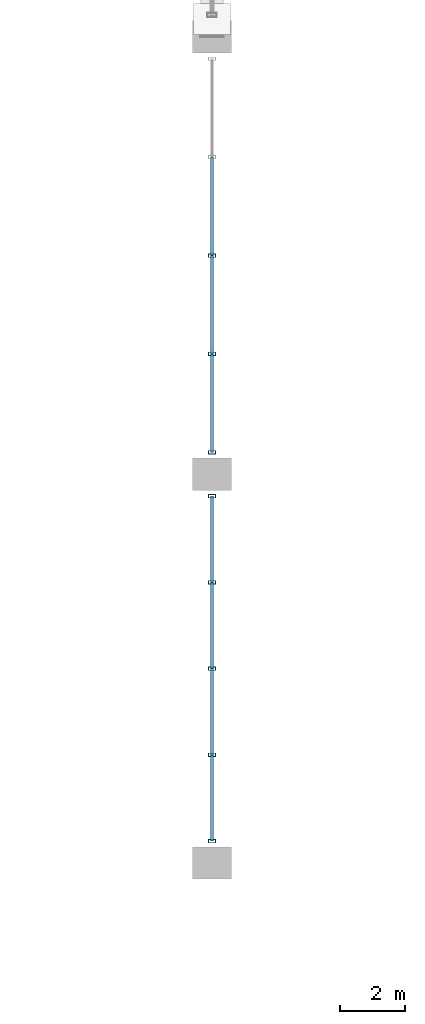
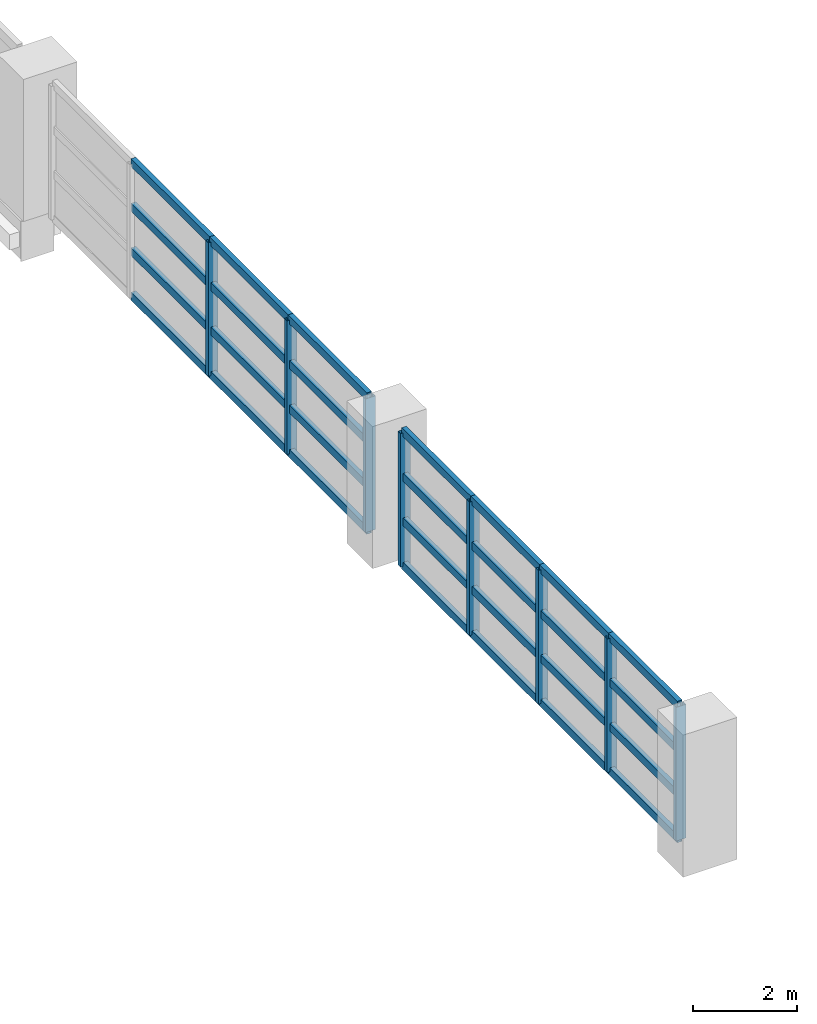
# One storey, part 36 of 116: 36 members, 2 elements without a shape of their own.
"""IFC4 building model written with IfcOpenShell, lengths in metres."""

from ifc_helpers import new_model, si_unit, direction, frame, origin, origin_2d, place, context, subcontext, project, spatial, hollow_rectangle, extrude, material, material_profile, profile_set, type_object, element, aggregate, save


model = new_model("IFC4")

# Units and contexts
model_context = context("Model", 3, precision=1e-05, world=origin(), true_north=direction((0.0, 1.0)))
body_context = subcontext(model_context, "Body", "Model", "MODEL_VIEW")
ifc_project = project(units=[si_unit("LENGTHUNIT", "METRE"), si_unit("AREAUNIT", "SQUARE_METRE"), si_unit("VOLUMEUNIT", "CUBIC_METRE"), si_unit("PLANEANGLEUNIT", "RADIAN"), si_unit("MASSUNIT", "GRAM", prefix="KILO")], contexts=[model_context])

# Site, building, storey
site_placement = place(None, origin())
site = spatial("IfcSite", under=ifc_project, at=site_placement, CompositionType="ELEMENT")
building_placement = place(site_placement, origin())
building = spatial("IfcBuilding", under=site, at=building_placement, Name="Chuanluo Vaults Station", CompositionType="ELEMENT")
storey_placement = place(building_placement, frame((0.0, 0.0, 10.800048828125)))
storey = spatial("IfcBuildingStorey", under=building, at=storey_placement, Name="L02", CompositionType="ELEMENT", Elevation=10.800048828125)

# Curtain wall, members
ifc_material_1 = material(Name="Anodised aluminium 6063-T6", Category="aluminium")
curtain_wall_type_1 = type_object("IfcCurtainWallType", Name="CW-SYS-08", PredefinedType="NOTDEFINED", material=ifc_material_1)
curtain_wall_1_placement = place(storey_placement, origin())
curtain_wall_1 = element("IfcCurtainWall", 1, at=curtain_wall_1_placement, inside=storey, type_object=curtain_wall_type_1, Name="Train shed east clerestory CW 42", PredefinedType="NOTDEFINED")
ifc_material_2 = material(Name="Anodised aluminium 6063-T6", Category="aluminium")
ifc_material_profile_1 = material_profile(ifc_material_2, hollow_rectangle(XDim=0.10498046875, YDim=0.219970703125, WallThickness=0.006103515625, at=origin_2d()))
ifc_profile_set_1 = profile_set([ifc_material_profile_1], Name="Anodised aluminium 6063-T6")
member_type_1 = type_object("IfcMemberType", Name="CWM-140", PredefinedType="MULLION", material=ifc_profile_set_1)
member_1_placement = place(storey_placement, frame((126.0, 53.324951171875, 0.0), z_axis=(0.0, 0.0, 1.0), x_axis=(0.0, -1.0, 0.0)))
member_1 = element("IfcMember", 2, at=member_1_placement, type_object=member_type_1, Name="Train shed east clerestory CW 42 mullion 1", PredefinedType="MULLION", context=body_context, shape_type="SweptSolid", body=[
    extrude(hollow_rectangle(XDim=0.10498046875, YDim=0.219970703125, WallThickness=0.006103515625, at=origin_2d()), origin(), (0.0, 0.0, 1.0), 3.14990234375),
])
member_2_placement = place(storey_placement, frame((126.0, 50.66259765625, 0.0), z_axis=(0.0, 0.0, 1.0), x_axis=(0.0, -1.0, 0.0)))
member_2 = element("IfcMember", 3, at=member_2_placement, type_object=member_type_1, Name="Train shed east clerestory CW 42 mullion 2", PredefinedType="MULLION", context=body_context, shape_type="SweptSolid", body=[
    extrude(hollow_rectangle(XDim=0.10498046875, YDim=0.219970703125, WallThickness=0.006103515625, at=origin_2d()), origin(), (0.0, 0.0, 1.0), 3.14990234375),
])
member_3_placement = place(storey_placement, frame((126.0, 48.0, 0.0), z_axis=(0.0, 0.0, 1.0), x_axis=(0.0, -1.0, 0.0)))
member_3 = element("IfcMember", 4, at=member_3_placement, type_object=member_type_1, Name="Train shed east clerestory CW 42 mullion 3", PredefinedType="MULLION", context=body_context, shape_type="SweptSolid", body=[
    extrude(hollow_rectangle(XDim=0.10498046875, YDim=0.219970703125, WallThickness=0.006103515625, at=origin_2d()), origin(), (0.0, 0.0, 1.0), 3.14990234375),
])
member_4_placement = place(storey_placement, frame((126.0, 45.33740234375, 0.0), z_axis=(0.0, 0.0, 1.0), x_axis=(0.0, -1.0, 0.0)))
member_4 = element("IfcMember", 5, at=member_4_placement, type_object=member_type_1, Name="Train shed east clerestory CW 42 mullion 4", PredefinedType="MULLION", context=body_context, shape_type="SweptSolid", body=[
    extrude(hollow_rectangle(XDim=0.10498046875, YDim=0.219970703125, WallThickness=0.006103515625, at=origin_2d()), origin(), (0.0, 0.0, 1.0), 3.14990234375),
])
member_5_placement = place(storey_placement, frame((126.0, 42.675048828125, 0.0), z_axis=(0.0, 0.0, 1.0), x_axis=(0.0, -1.0, 0.0)))
member_5 = element("IfcMember", 6, at=member_5_placement, type_object=member_type_1, Name="Train shed east clerestory CW 42 mullion 5", PredefinedType="MULLION", context=body_context, shape_type="SweptSolid", body=[
    extrude(hollow_rectangle(XDim=0.10498046875, YDim=0.219970703125, WallThickness=0.006103515625, at=origin_2d()), origin(), (0.0, 0.0, 1.0), 3.14990234375),
])

ifc_material_3 = material(Name="Anodised aluminium 6063-T6", Category="aluminium")
curtain_wall_type_2 = type_object("IfcCurtainWallType", Name="CW-SYS-12", PredefinedType="NOTDEFINED", material=ifc_material_3)
curtain_wall_2_placement = place(storey_placement, origin())
curtain_wall_2 = element("IfcCurtainWall", 7, at=curtain_wall_2_placement, inside=storey, type_object=curtain_wall_type_2, Name="Train shed east clerestory CW 54", PredefinedType="NOTDEFINED")
member_6_placement = place(storey_placement, frame((126.0, 60.75, 0.0), z_axis=(0.0, 0.0, 1.0), x_axis=(0.0, -1.0, 0.0)))
member_6 = element("IfcMember", 8, at=member_6_placement, type_object=member_type_1, Name="Train shed east clerestory CW 54 mullion 3", PredefinedType="MULLION", context=body_context, shape_type="SweptSolid", body=[
    extrude(hollow_rectangle(XDim=0.10498046875, YDim=0.219970703125, WallThickness=0.006103515625, at=origin_2d()), origin(), (0.0, 0.0, 1.0), 3.14990234375),
])
member_7_placement = place(storey_placement, frame((126.0, 57.71240234375, 0.0), z_axis=(0.0, 0.0, 1.0), x_axis=(0.0, -1.0, 0.0)))
member_7 = element("IfcMember", 9, at=member_7_placement, type_object=member_type_1, Name="Train shed east clerestory CW 54 mullion 4", PredefinedType="MULLION", context=body_context, shape_type="SweptSolid", body=[
    extrude(hollow_rectangle(XDim=0.10498046875, YDim=0.219970703125, WallThickness=0.006103515625, at=origin_2d()), origin(), (0.0, 0.0, 1.0), 3.14990234375),
])
member_8_placement = place(storey_placement, frame((126.0, 54.675048828125, 0.0), z_axis=(0.0, 0.0, 1.0), x_axis=(0.0, -1.0, 0.0)))
member_8 = element("IfcMember", 10, at=member_8_placement, type_object=member_type_1, Name="Train shed east clerestory CW 54 mullion 5", PredefinedType="MULLION", context=body_context, shape_type="SweptSolid", body=[
    extrude(hollow_rectangle(XDim=0.10498046875, YDim=0.219970703125, WallThickness=0.006103515625, at=origin_2d()), origin(), (0.0, 0.0, 1.0), 3.14990234375),
])

# Member
ifc_material_4 = material(Name="Anodised aluminium 6063-T6", Category="aluminium")
ifc_material_profile_2 = material_profile(ifc_material_4, hollow_rectangle(XDim=0.10498046875, YDim=0.18505859375, WallThickness=0.0048828125, at=origin_2d()))
ifc_profile_set_2 = profile_set([ifc_material_profile_2], Name="Anodised aluminium 6063-T6")
member_type_2 = type_object("IfcMemberType", Name="CWT-110", PredefinedType="USERDEFINED", material=ifc_profile_set_2)
member_9_placement = place(storey_placement, frame((126.0, 53.324951171875, 0.0), z_axis=(0.0, -1.0, 0.0), x_axis=(1.0, 0.0, 0.0)))
member_9 = element("IfcMember", 11, at=member_9_placement, type_object=member_type_2, Name="Train shed east clerestory CW 42 transom 1.1", ObjectType="TRANSOM", PredefinedType="USERDEFINED", context=body_context, shape_type="SweptSolid", body=[
    extrude(hollow_rectangle(XDim=0.10498046875, YDim=0.18505859375, WallThickness=0.0048828125, at=origin_2d()), origin(), (0.0, 0.0, 1.0), 2.662353515625),
])

member_10_placement = place(storey_placement, frame((126.0, 53.324951171875, 1.050048828125), z_axis=(0.0, -1.0, 0.0), x_axis=(1.0, 0.0, 0.0)))
member_10 = element("IfcMember", 12, at=member_10_placement, type_object=member_type_2, Name="Train shed east clerestory CW 42 transom 1.2", ObjectType="TRANSOM", PredefinedType="USERDEFINED", context=body_context, shape_type="SweptSolid", body=[
    extrude(hollow_rectangle(XDim=0.10498046875, YDim=0.18505859375, WallThickness=0.0048828125, at=origin_2d()), origin(), (0.0, 0.0, 1.0), 2.662353515625),
])

member_11_placement = place(storey_placement, frame((126.0, 53.324951171875, 2.099853515625), z_axis=(0.0, -1.0, 0.0), x_axis=(1.0, 0.0, 0.0)))
member_11 = element("IfcMember", 13, at=member_11_placement, type_object=member_type_2, Name="Train shed east clerestory CW 42 transom 1.3", ObjectType="TRANSOM", PredefinedType="USERDEFINED", context=body_context, shape_type="SweptSolid", body=[
    extrude(hollow_rectangle(XDim=0.10498046875, YDim=0.18505859375, WallThickness=0.0048828125, at=origin_2d()), origin(), (0.0, 0.0, 1.0), 2.662353515625),
])

member_12_placement = place(storey_placement, frame((126.0, 53.324951171875, 3.14990234375), z_axis=(0.0, -1.0, 0.0), x_axis=(1.0, 0.0, 0.0)))
member_12 = element("IfcMember", 14, at=member_12_placement, type_object=member_type_2, Name="Train shed east clerestory CW 42 transom 1.4", ObjectType="TRANSOM", PredefinedType="USERDEFINED", context=body_context, shape_type="SweptSolid", body=[
    extrude(hollow_rectangle(XDim=0.10498046875, YDim=0.18505859375, WallThickness=0.0048828125, at=origin_2d()), origin(), (0.0, 0.0, 1.0), 2.662353515625),
])

member_13_placement = place(storey_placement, frame((126.0, 50.66259765625, 0.0), z_axis=(0.0, -1.0, 0.0), x_axis=(1.0, 0.0, 0.0)))
member_13 = element("IfcMember", 15, at=member_13_placement, type_object=member_type_2, Name="Train shed east clerestory CW 42 transom 2.1", ObjectType="TRANSOM", PredefinedType="USERDEFINED", context=body_context, shape_type="SweptSolid", body=[
    extrude(hollow_rectangle(XDim=0.10498046875, YDim=0.18505859375, WallThickness=0.0048828125, at=origin_2d()), origin(), (0.0, 0.0, 1.0), 2.66259765625),
])

member_14_placement = place(storey_placement, frame((126.0, 50.66259765625, 1.050048828125), z_axis=(0.0, -1.0, 0.0), x_axis=(1.0, 0.0, 0.0)))
member_14 = element("IfcMember", 16, at=member_14_placement, type_object=member_type_2, Name="Train shed east clerestory CW 42 transom 2.2", ObjectType="TRANSOM", PredefinedType="USERDEFINED", context=body_context, shape_type="SweptSolid", body=[
    extrude(hollow_rectangle(XDim=0.10498046875, YDim=0.18505859375, WallThickness=0.0048828125, at=origin_2d()), origin(), (0.0, 0.0, 1.0), 2.66259765625),
])

member_15_placement = place(storey_placement, frame((126.0, 50.66259765625, 2.099853515625), z_axis=(0.0, -1.0, 0.0), x_axis=(1.0, 0.0, 0.0)))
member_15 = element("IfcMember", 17, at=member_15_placement, type_object=member_type_2, Name="Train shed east clerestory CW 42 transom 2.3", ObjectType="TRANSOM", PredefinedType="USERDEFINED", context=body_context, shape_type="SweptSolid", body=[
    extrude(hollow_rectangle(XDim=0.10498046875, YDim=0.18505859375, WallThickness=0.0048828125, at=origin_2d()), origin(), (0.0, 0.0, 1.0), 2.66259765625),
])

member_16_placement = place(storey_placement, frame((126.0, 50.66259765625, 3.14990234375), z_axis=(0.0, -1.0, 0.0), x_axis=(1.0, 0.0, 0.0)))
member_16 = element("IfcMember", 18, at=member_16_placement, type_object=member_type_2, Name="Train shed east clerestory CW 42 transom 2.4", ObjectType="TRANSOM", PredefinedType="USERDEFINED", context=body_context, shape_type="SweptSolid", body=[
    extrude(hollow_rectangle(XDim=0.10498046875, YDim=0.18505859375, WallThickness=0.0048828125, at=origin_2d()), origin(), (0.0, 0.0, 1.0), 2.66259765625),
])

member_17_placement = place(storey_placement, frame((126.0, 48.0, 0.0), z_axis=(0.0, -1.0, 0.0), x_axis=(1.0, 0.0, 0.0)))
member_17 = element("IfcMember", 19, at=member_17_placement, type_object=member_type_2, Name="Train shed east clerestory CW 42 transom 3.1", ObjectType="TRANSOM", PredefinedType="USERDEFINED", context=body_context, shape_type="SweptSolid", body=[
    extrude(hollow_rectangle(XDim=0.10498046875, YDim=0.18505859375, WallThickness=0.0048828125, at=origin_2d()), origin(), (0.0, 0.0, 1.0), 2.66259765625),
])

member_18_placement = place(storey_placement, frame((126.0, 48.0, 1.050048828125), z_axis=(0.0, -1.0, 0.0), x_axis=(1.0, 0.0, 0.0)))
member_18 = element("IfcMember", 20, at=member_18_placement, type_object=member_type_2, Name="Train shed east clerestory CW 42 transom 3.2", ObjectType="TRANSOM", PredefinedType="USERDEFINED", context=body_context, shape_type="SweptSolid", body=[
    extrude(hollow_rectangle(XDim=0.10498046875, YDim=0.18505859375, WallThickness=0.0048828125, at=origin_2d()), origin(), (0.0, 0.0, 1.0), 2.66259765625),
])

member_19_placement = place(storey_placement, frame((126.0, 48.0, 2.099853515625), z_axis=(0.0, -1.0, 0.0), x_axis=(1.0, 0.0, 0.0)))
member_19 = element("IfcMember", 21, at=member_19_placement, type_object=member_type_2, Name="Train shed east clerestory CW 42 transom 3.3", ObjectType="TRANSOM", PredefinedType="USERDEFINED", context=body_context, shape_type="SweptSolid", body=[
    extrude(hollow_rectangle(XDim=0.10498046875, YDim=0.18505859375, WallThickness=0.0048828125, at=origin_2d()), origin(), (0.0, 0.0, 1.0), 2.66259765625),
])

member_20_placement = place(storey_placement, frame((126.0, 48.0, 3.14990234375), z_axis=(0.0, -1.0, 0.0), x_axis=(1.0, 0.0, 0.0)))
member_20 = element("IfcMember", 22, at=member_20_placement, type_object=member_type_2, Name="Train shed east clerestory CW 42 transom 3.4", ObjectType="TRANSOM", PredefinedType="USERDEFINED", context=body_context, shape_type="SweptSolid", body=[
    extrude(hollow_rectangle(XDim=0.10498046875, YDim=0.18505859375, WallThickness=0.0048828125, at=origin_2d()), origin(), (0.0, 0.0, 1.0), 2.66259765625),
])

member_21_placement = place(storey_placement, frame((126.0, 45.33740234375, 0.0), z_axis=(0.0, -1.0, 0.0), x_axis=(1.0, 0.0, 0.0)))
member_21 = element("IfcMember", 23, at=member_21_placement, type_object=member_type_2, Name="Train shed east clerestory CW 42 transom 4.1", ObjectType="TRANSOM", PredefinedType="USERDEFINED", context=body_context, shape_type="SweptSolid", body=[
    extrude(hollow_rectangle(XDim=0.10498046875, YDim=0.18505859375, WallThickness=0.0048828125, at=origin_2d()), origin(), (0.0, 0.0, 1.0), 2.662353515625),
])

member_22_placement = place(storey_placement, frame((126.0, 45.33740234375, 1.050048828125), z_axis=(0.0, -1.0, 0.0), x_axis=(1.0, 0.0, 0.0)))
member_22 = element("IfcMember", 24, at=member_22_placement, type_object=member_type_2, Name="Train shed east clerestory CW 42 transom 4.2", ObjectType="TRANSOM", PredefinedType="USERDEFINED", context=body_context, shape_type="SweptSolid", body=[
    extrude(hollow_rectangle(XDim=0.10498046875, YDim=0.18505859375, WallThickness=0.0048828125, at=origin_2d()), origin(), (0.0, 0.0, 1.0), 2.662353515625),
])

member_23_placement = place(storey_placement, frame((126.0, 45.33740234375, 2.099853515625), z_axis=(0.0, -1.0, 0.0), x_axis=(1.0, 0.0, 0.0)))
member_23 = element("IfcMember", 25, at=member_23_placement, type_object=member_type_2, Name="Train shed east clerestory CW 42 transom 4.3", ObjectType="TRANSOM", PredefinedType="USERDEFINED", context=body_context, shape_type="SweptSolid", body=[
    extrude(hollow_rectangle(XDim=0.10498046875, YDim=0.18505859375, WallThickness=0.0048828125, at=origin_2d()), origin(), (0.0, 0.0, 1.0), 2.662353515625),
])

member_24_placement = place(storey_placement, frame((126.0, 45.33740234375, 3.14990234375), z_axis=(0.0, -1.0, 0.0), x_axis=(1.0, 0.0, 0.0)))
member_24 = element("IfcMember", 26, at=member_24_placement, type_object=member_type_2, Name="Train shed east clerestory CW 42 transom 4.4", ObjectType="TRANSOM", PredefinedType="USERDEFINED", context=body_context, shape_type="SweptSolid", body=[
    extrude(hollow_rectangle(XDim=0.10498046875, YDim=0.18505859375, WallThickness=0.0048828125, at=origin_2d()), origin(), (0.0, 0.0, 1.0), 2.662353515625),
])

aggregate(curtain_wall_1, [member_1, member_2, member_3, member_4, member_5, member_9, member_10, member_11, member_12, member_13, member_14, member_15, member_16, member_17, member_18, member_19, member_20, member_21, member_22, member_23, member_24])

member_25_placement = place(storey_placement, frame((126.0, 63.78759765625, 0.0), z_axis=(0.0, -1.0, 0.0), x_axis=(1.0, 0.0, 0.0)))
member_25 = element("IfcMember", 27, at=member_25_placement, type_object=member_type_2, Name="Train shed east clerestory CW 54 transom 2.1", ObjectType="TRANSOM", PredefinedType="USERDEFINED", context=body_context, shape_type="SweptSolid", body=[
    extrude(hollow_rectangle(XDim=0.10498046875, YDim=0.18505859375, WallThickness=0.0048828125, at=origin_2d()), origin(), (0.0, 0.0, 1.0), 3.03759765625),
])

member_26_placement = place(storey_placement, frame((126.0, 63.78759765625, 1.050048828125), z_axis=(0.0, -1.0, 0.0), x_axis=(1.0, 0.0, 0.0)))
member_26 = element("IfcMember", 28, at=member_26_placement, type_object=member_type_2, Name="Train shed east clerestory CW 54 transom 2.2", ObjectType="TRANSOM", PredefinedType="USERDEFINED", context=body_context, shape_type="SweptSolid", body=[
    extrude(hollow_rectangle(XDim=0.10498046875, YDim=0.18505859375, WallThickness=0.0048828125, at=origin_2d()), origin(), (0.0, 0.0, 1.0), 3.03759765625),
])

member_27_placement = place(storey_placement, frame((126.0, 63.78759765625, 2.099853515625), z_axis=(0.0, -1.0, 0.0), x_axis=(1.0, 0.0, 0.0)))
member_27 = element("IfcMember", 29, at=member_27_placement, type_object=member_type_2, Name="Train shed east clerestory CW 54 transom 2.3", ObjectType="TRANSOM", PredefinedType="USERDEFINED", context=body_context, shape_type="SweptSolid", body=[
    extrude(hollow_rectangle(XDim=0.10498046875, YDim=0.18505859375, WallThickness=0.0048828125, at=origin_2d()), origin(), (0.0, 0.0, 1.0), 3.03759765625),
])

member_28_placement = place(storey_placement, frame((126.0, 63.78759765625, 3.14990234375), z_axis=(0.0, -1.0, 0.0), x_axis=(1.0, 0.0, 0.0)))
member_28 = element("IfcMember", 30, at=member_28_placement, type_object=member_type_2, Name="Train shed east clerestory CW 54 transom 2.4", ObjectType="TRANSOM", PredefinedType="USERDEFINED", context=body_context, shape_type="SweptSolid", body=[
    extrude(hollow_rectangle(XDim=0.10498046875, YDim=0.18505859375, WallThickness=0.0048828125, at=origin_2d()), origin(), (0.0, 0.0, 1.0), 3.03759765625),
])

member_29_placement = place(storey_placement, frame((126.0, 60.75, 0.0), z_axis=(0.0, -1.0, 0.0), x_axis=(1.0, 0.0, 0.0)))
member_29 = element("IfcMember", 31, at=member_29_placement, type_object=member_type_2, Name="Train shed east clerestory CW 54 transom 3.1", ObjectType="TRANSOM", PredefinedType="USERDEFINED", context=body_context, shape_type="SweptSolid", body=[
    extrude(hollow_rectangle(XDim=0.10498046875, YDim=0.18505859375, WallThickness=0.0048828125, at=origin_2d()), origin(), (0.0, 0.0, 1.0), 3.03759765625),
])

member_30_placement = place(storey_placement, frame((126.0, 60.75, 1.050048828125), z_axis=(0.0, -1.0, 0.0), x_axis=(1.0, 0.0, 0.0)))
member_30 = element("IfcMember", 32, at=member_30_placement, type_object=member_type_2, Name="Train shed east clerestory CW 54 transom 3.2", ObjectType="TRANSOM", PredefinedType="USERDEFINED", context=body_context, shape_type="SweptSolid", body=[
    extrude(hollow_rectangle(XDim=0.10498046875, YDim=0.18505859375, WallThickness=0.0048828125, at=origin_2d()), origin(), (0.0, 0.0, 1.0), 3.03759765625),
])

member_31_placement = place(storey_placement, frame((126.0, 60.75, 2.099853515625), z_axis=(0.0, -1.0, 0.0), x_axis=(1.0, 0.0, 0.0)))
member_31 = element("IfcMember", 33, at=member_31_placement, type_object=member_type_2, Name="Train shed east clerestory CW 54 transom 3.3", ObjectType="TRANSOM", PredefinedType="USERDEFINED", context=body_context, shape_type="SweptSolid", body=[
    extrude(hollow_rectangle(XDim=0.10498046875, YDim=0.18505859375, WallThickness=0.0048828125, at=origin_2d()), origin(), (0.0, 0.0, 1.0), 3.03759765625),
])

member_32_placement = place(storey_placement, frame((126.0, 60.75, 3.14990234375), z_axis=(0.0, -1.0, 0.0), x_axis=(1.0, 0.0, 0.0)))
member_32 = element("IfcMember", 34, at=member_32_placement, type_object=member_type_2, Name="Train shed east clerestory CW 54 transom 3.4", ObjectType="TRANSOM", PredefinedType="USERDEFINED", context=body_context, shape_type="SweptSolid", body=[
    extrude(hollow_rectangle(XDim=0.10498046875, YDim=0.18505859375, WallThickness=0.0048828125, at=origin_2d()), origin(), (0.0, 0.0, 1.0), 3.03759765625),
])

member_33_placement = place(storey_placement, frame((126.0, 57.71240234375, 0.0), z_axis=(0.0, -1.0, 0.0), x_axis=(1.0, 0.0, 0.0)))
member_33 = element("IfcMember", 35, at=member_33_placement, type_object=member_type_2, Name="Train shed east clerestory CW 54 transom 4.1", ObjectType="TRANSOM", PredefinedType="USERDEFINED", context=body_context, shape_type="SweptSolid", body=[
    extrude(hollow_rectangle(XDim=0.10498046875, YDim=0.18505859375, WallThickness=0.0048828125, at=origin_2d()), origin(), (0.0, 0.0, 1.0), 3.037353515625),
])

member_34_placement = place(storey_placement, frame((126.0, 57.71240234375, 1.050048828125), z_axis=(0.0, -1.0, 0.0), x_axis=(1.0, 0.0, 0.0)))
member_34 = element("IfcMember", 36, at=member_34_placement, type_object=member_type_2, Name="Train shed east clerestory CW 54 transom 4.2", ObjectType="TRANSOM", PredefinedType="USERDEFINED", context=body_context, shape_type="SweptSolid", body=[
    extrude(hollow_rectangle(XDim=0.10498046875, YDim=0.18505859375, WallThickness=0.0048828125, at=origin_2d()), origin(), (0.0, 0.0, 1.0), 3.037353515625),
])

member_35_placement = place(storey_placement, frame((126.0, 57.71240234375, 2.099853515625), z_axis=(0.0, -1.0, 0.0), x_axis=(1.0, 0.0, 0.0)))
member_35 = element("IfcMember", 37, at=member_35_placement, type_object=member_type_2, Name="Train shed east clerestory CW 54 transom 4.3", ObjectType="TRANSOM", PredefinedType="USERDEFINED", context=body_context, shape_type="SweptSolid", body=[
    extrude(hollow_rectangle(XDim=0.10498046875, YDim=0.18505859375, WallThickness=0.0048828125, at=origin_2d()), origin(), (0.0, 0.0, 1.0), 3.037353515625),
])

member_36_placement = place(storey_placement, frame((126.0, 57.71240234375, 3.14990234375), z_axis=(0.0, -1.0, 0.0), x_axis=(1.0, 0.0, 0.0)))
member_36 = element("IfcMember", 38, at=member_36_placement, type_object=member_type_2, Name="Train shed east clerestory CW 54 transom 4.4", ObjectType="TRANSOM", PredefinedType="USERDEFINED", context=body_context, shape_type="SweptSolid", body=[
    extrude(hollow_rectangle(XDim=0.10498046875, YDim=0.18505859375, WallThickness=0.0048828125, at=origin_2d()), origin(), (0.0, 0.0, 1.0), 3.037353515625),
])

aggregate(curtain_wall_2, [member_6, member_7, member_8, member_25, member_26, member_27, member_28, member_29, member_30, member_31, member_32, member_33, member_34, member_35, member_36])

save(model, "model.ifc")
